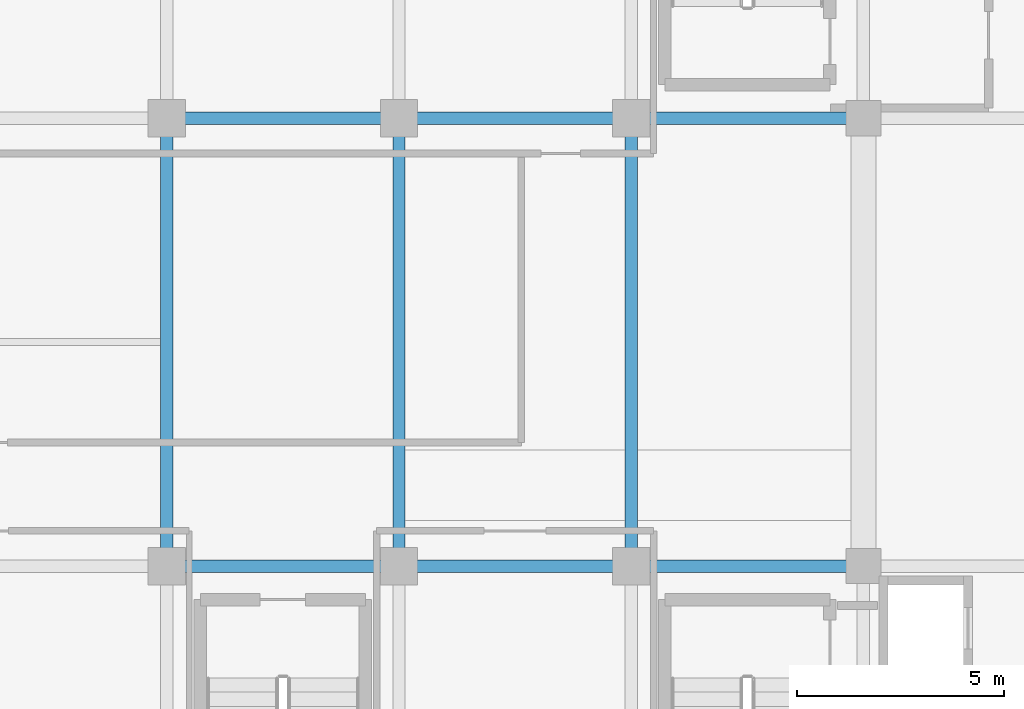
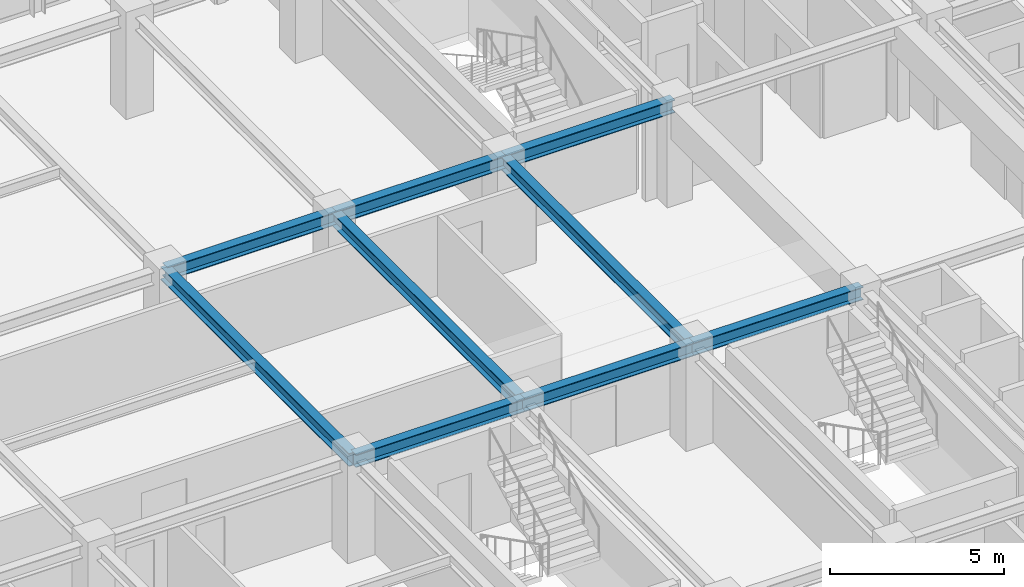
# One storey, part 11 of 34: 9 beams.
"""IFC4 building model written with IfcOpenShell, lengths in metres."""

from ifc_helpers import new_model, si_unit, direction, frame, origin, origin_2d, place, context, subcontext, project, spatial, i_section, extrude, source, transform, mapped, material, material_profile, profile_set, type_object, element, save


model = new_model("IFC4")

# Units and contexts
model_context = context("Model", 3, precision=1e-05, world=origin(), true_north=direction((0.0, 1.0)))
body_context = subcontext(model_context, "Body", "Model", "MODEL_VIEW")
ifc_project = project(units=[si_unit("LENGTHUNIT", "METRE"), si_unit("AREAUNIT", "SQUARE_METRE"), si_unit("VOLUMEUNIT", "CUBIC_METRE"), si_unit("PLANEANGLEUNIT", "RADIAN"), si_unit("MASSUNIT", "GRAM", prefix="KILO")], contexts=[model_context])

# Site, building, storey
site_placement = place(None, origin())
site = spatial("IfcSite", under=ifc_project, at=site_placement, CompositionType="ELEMENT")
building_placement = place(site_placement, origin())
building = spatial("IfcBuilding", under=site, at=building_placement, Name="Nahalor Promenade Grand Hotel", CompositionType="ELEMENT")
storey_placement = place(building_placement, frame((0.0, 0.0, 334.75)))
storey = spatial("IfcBuildingStorey", under=building, at=storey_placement, Name="L86", CompositionType="ELEMENT", Elevation=334.75)

# Beams
ifc_material = material(Name="Steel S355JR", Category="steel")
ifc_material_profile = material_profile(ifc_material, i_section(OverallWidth=0.3, OverallDepth=0.45, WebThickness=0.014, FlangeThickness=0.026, at=origin_2d()), Name="HEB 450")
ifc_profile_set = profile_set([ifc_material_profile], Name="Steel S355JR")
beam_type = type_object("IfcBeamType", Name="Beam-Girder-HEB450", PredefinedType="BEAM", material=ifc_profile_set)
shared_shape_1 = source(origin(), body_context, "Body", "SweptSolid", [
    extrude(i_section(OverallWidth=0.3, OverallDepth=0.45, WebThickness=0.014, FlangeThickness=0.026, at=origin_2d()), origin(), (0.0, 0.0, 1.0), 5.599853515625),
])
for number, where, z_axis, x_axis, name in (
    (1, (-8.39990234375, -5.39990234375, 3.2451171875), (1.0, 0.0, 0.0), (0.0, 1.0, 0.0), "BM-L86-GX-1-2"),
    (2, (2.800048828125, -5.39990234375, 3.2451171875), (1.0, 0.0, 0.0), (0.0, 1.0, 0.0), "BM-L86-GX-1-4"),
    (3, (-8.39990234375, 5.39990234375, 3.2451171875), (1.0, 0.0, 0.0), (0.0, 1.0, 0.0), "BM-L86-GX-2-2"),
    (4, (2.800048828125, 5.39990234375, 3.2451171875), (1.0, 0.0, 0.0), (0.0, 1.0, 0.0), "BM-L86-GX-2-4"),
):
    element("IfcBeam", number, at=place(storey_placement, frame(where, z_axis=z_axis, x_axis=x_axis)), inside=storey, type_object=beam_type, Name=name, PredefinedType="BEAM", context=body_context, shape_type="MappedRepresentation", body=[
        mapped(shared_shape_1, transform((0.0, 0.0, 0.0), scale=1.0)),
    ])
shared_shape_2 = source(origin(), body_context, "Body", "SweptSolid", [
    extrude(i_section(OverallWidth=0.3, OverallDepth=0.45, WebThickness=0.014, FlangeThickness=0.026, at=origin_2d()), origin(), (0.0, 0.0, 1.0), 5.60009765625),
])
for number, where, z_axis, x_axis, name in (
    (5, (-2.800048828125, -5.39990234375, 3.2451171875), (1.0, 0.0, 0.0), (0.0, 1.0, 0.0), "BM-L86-GX-1-3"),
    (6, (-2.800048828125, 5.39990234375, 3.2451171875), (1.0, 0.0, 0.0), (0.0, 1.0, 0.0), "BM-L86-GX-2-3"),
):
    element("IfcBeam", number, at=place(storey_placement, frame(where, z_axis=z_axis, x_axis=x_axis)), inside=storey, type_object=beam_type, Name=name, PredefinedType="BEAM", context=body_context, shape_type="MappedRepresentation", body=[
        mapped(shared_shape_2, transform((0.0, 0.0, 0.0), scale=1.0)),
    ])
shared_shape_3 = source(origin(), body_context, "Body", "SweptSolid", [
    extrude(i_section(OverallWidth=0.3, OverallDepth=0.45, WebThickness=0.014, FlangeThickness=0.026, at=origin_2d()), origin(), (0.0, 0.0, 1.0), 10.7998046875),
])
for number, where, z_axis, x_axis, name in (
    (7, (-8.39990234375, -5.39990234375, 3.2451171875), (0.0, 1.0, 0.0), (-1.0, 0.0, 0.0), "BM-L86-GY-1-2"),
    (8, (-2.800048828125, -5.39990234375, 3.2451171875), (0.0, 1.0, 0.0), (-1.0, 0.0, 0.0), "BM-L86-GY-2-2"),
    (9, (2.800048828125, -5.39990234375, 3.2451171875), (0.0, 1.0, 0.0), (-1.0, 0.0, 0.0), "BM-L86-GY-3-2"),
):
    element("IfcBeam", number, at=place(storey_placement, frame(where, z_axis=z_axis, x_axis=x_axis)), inside=storey, type_object=beam_type, Name=name, PredefinedType="BEAM", context=body_context, shape_type="MappedRepresentation", body=[
        mapped(shared_shape_3, transform((0.0, 0.0, 0.0), scale=1.0)),
    ])

save(model, "model.ifc")
